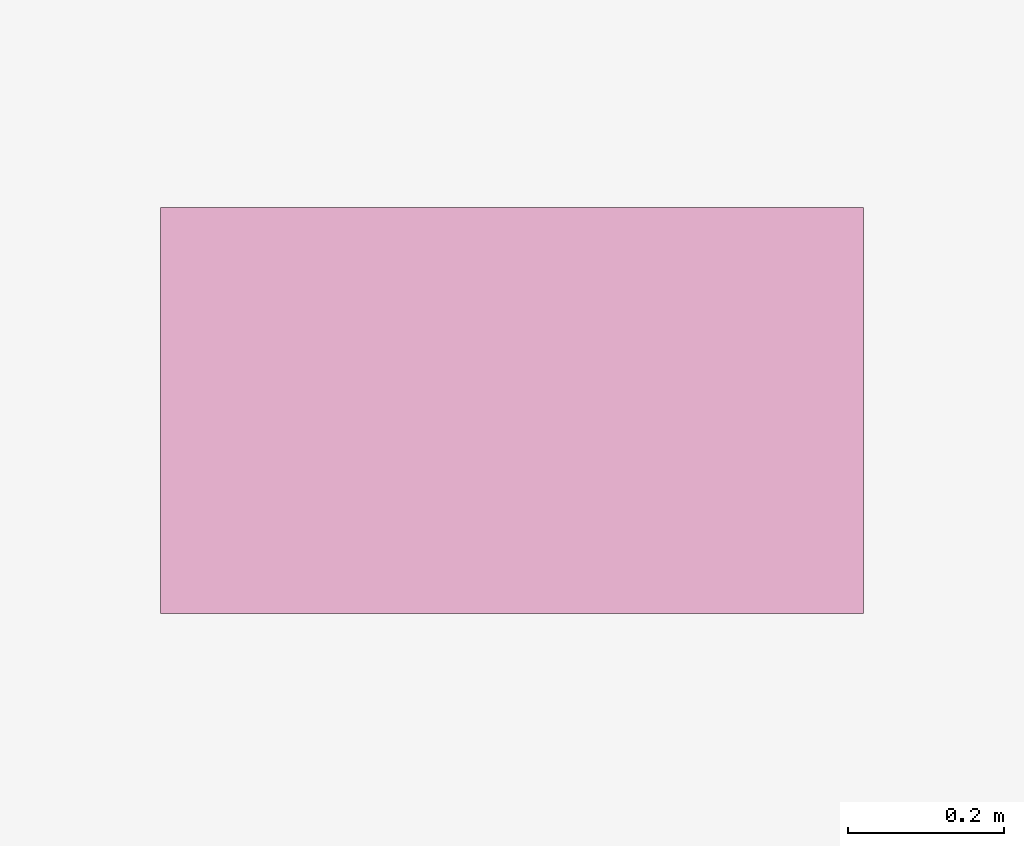
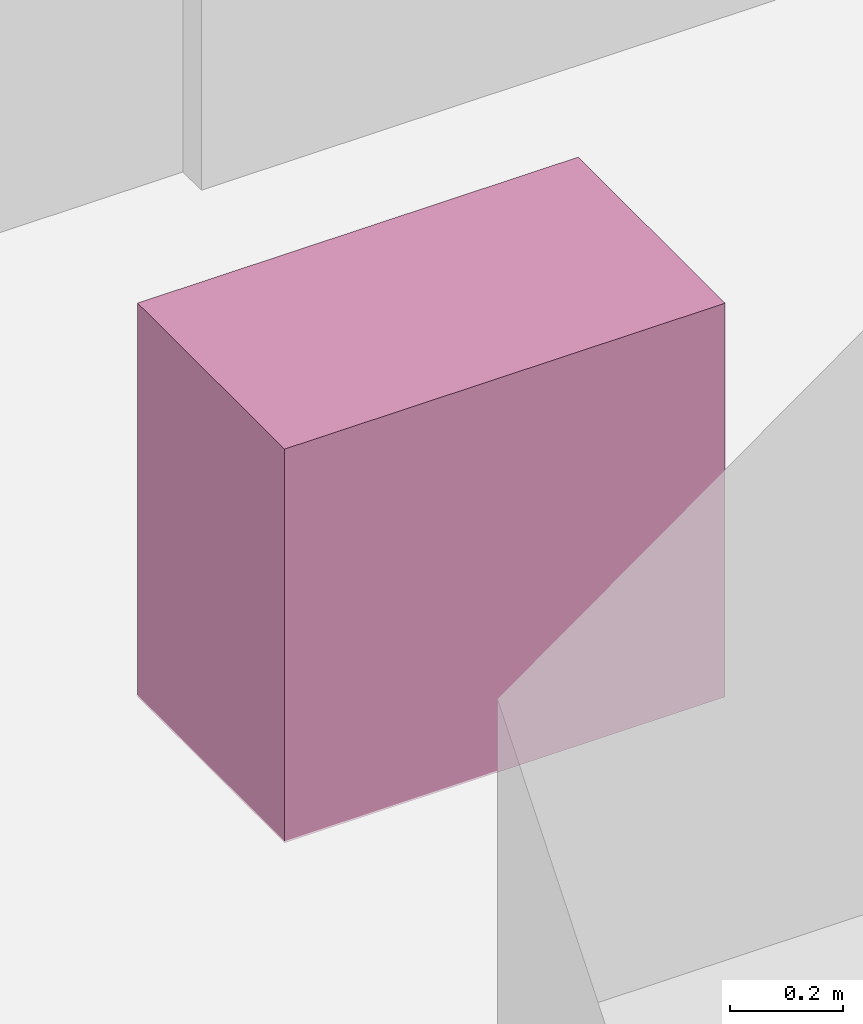
# One storey, part 33 of 33: 1 furnishing.
"""IFC4 building model written with IfcOpenShell, lengths in metres."""

from ifc_helpers import new_model, si_unit, direction, frame, origin, origin_2d, place, context, subcontext, project, spatial, rectangle, extrude, material, type_object, element, save


model = new_model("IFC4")

# Units and contexts
model_context = context("Model", 3, precision=1e-05, world=origin(), true_north=direction((0.0, 1.0)))
body_context = subcontext(model_context, "Body", "Model", "MODEL_VIEW")
ifc_project = project(units=[si_unit("LENGTHUNIT", "METRE"), si_unit("AREAUNIT", "SQUARE_METRE"), si_unit("VOLUMEUNIT", "CUBIC_METRE"), si_unit("PLANEANGLEUNIT", "RADIAN"), si_unit("MASSUNIT", "GRAM", prefix="KILO")], contexts=[model_context])

# Site, building, storey
site_placement = place(None, origin())
site = spatial("IfcSite", under=ifc_project, at=site_placement, CompositionType="ELEMENT")
building_placement = place(site_placement, origin())
building = spatial("IfcBuilding", under=site, at=building_placement, Name="Vorneva Point Tower", CompositionType="ELEMENT")
storey_placement = place(building_placement, frame((0.0, 0.0, 34.5)))
storey = spatial("IfcBuildingStorey", under=building, at=storey_placement, Name="L08", CompositionType="ELEMENT", Elevation=34.5)

# Furnishing
ifc_material = material(Name="Vitreous china and granite top", Category="masonry")
furniture_type = type_object("IfcFurnitureType", Name="FUR-VAN-900", AssemblyPlace="NOTDEFINED", PredefinedType="NOTDEFINED", material=ifc_material)
furnishing_placement = place(storey_placement, frame((35.425048828125, 32.1201171875, -0.005126953125), z_axis=(0.0, 0.0, 1.0), x_axis=(1.0, 0.0, 0.0)))
element("IfcFurnishingElement", 1, at=furnishing_placement, inside=storey, type_object=furniture_type, Name="L08 Accessible WC Vanity Unit", ObjectType="L08 Accessible WC Vanity Unit", context=body_context, shape_type="SweptSolid", body=[
    extrude(rectangle(XDim=0.89990234375, YDim=0.52001953125, at=origin_2d()), origin(), (0.0, 0.0, 1.0), 0.85009765625),
])

save(model, "model.ifc")
